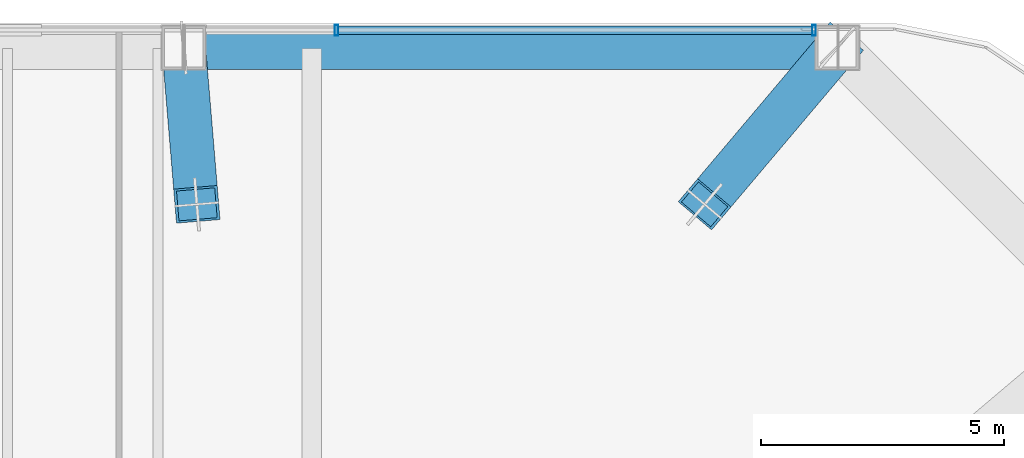
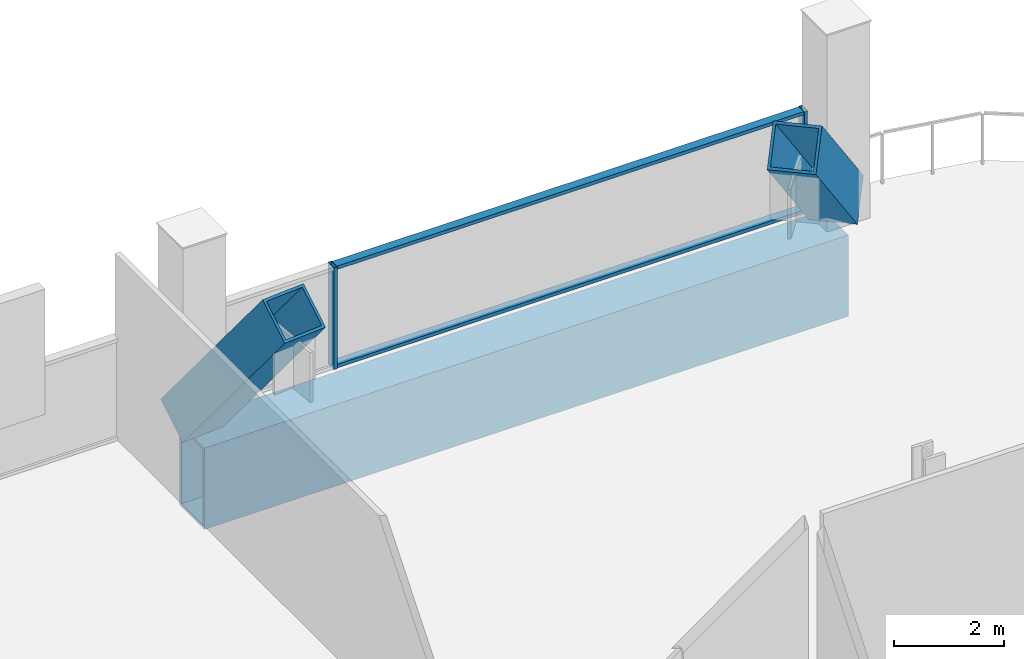
# One storey, part 24 of 38: 6 members, 1 beam, 1 element without a shape of its own.
"""IFC4 building model written with IfcOpenShell, lengths in metres."""

from ifc_helpers import new_model, si_unit, direction, frame, origin, origin_2d, place, context, subcontext, project, spatial, hollow_rectangle, extrude, material, layer, layer_set, material_profile, profile_set, type_object, element, aggregate, save


model = new_model("IFC4")

# Units and contexts
model_context = context("Model", 3, precision=1e-05, world=origin(), true_north=direction((0.0, 1.0)))
body_context = subcontext(model_context, "Body", "Model", "MODEL_VIEW")
ifc_project = project(units=[si_unit("LENGTHUNIT", "METRE"), si_unit("AREAUNIT", "SQUARE_METRE"), si_unit("VOLUMEUNIT", "CUBIC_METRE"), si_unit("PLANEANGLEUNIT", "RADIAN"), si_unit("MASSUNIT", "GRAM", prefix="KILO")], contexts=[model_context])

# Site, building, storey
site_placement = place(None, origin())
site = spatial("IfcSite", under=ifc_project, at=site_placement, CompositionType="ELEMENT")
building_placement = place(site_placement, origin())
building = spatial("IfcBuilding", under=site, at=building_placement, Name="Qhalaya Broadcast Tower", CompositionType="ELEMENT")
storey_placement = place(building_placement, frame((0.0, 0.0, 53.550048828125)))
storey = spatial("IfcBuildingStorey", under=building, at=storey_placement, Name="L15", CompositionType="ELEMENT", Elevation=53.550048828125)

# Beam
ifc_material_1 = material(Name="Structural Steel ASTM A572 Grade 50", Category="steel")
ifc_material_profile_1 = material_profile(ifc_material_1, hollow_rectangle(XDim=0.89990234375, YDim=1.800048828125, WallThickness=0.06005859375, at=origin_2d()), Name="BOX 900x1800x60")
ifc_profile_set_1 = profile_set([ifc_material_profile_1], Name="Structural Steel ASTM A572 Grade 50")
beam_type = type_object("IfcBeamType", Name="Block Cantilever Transfer Box Girder TG1", PredefinedType="USERDEFINED", material=ifc_profile_set_1)
beam_placement = place(storey_placement, frame((20.199951171875, 25.89990234375, -1.1201171875), z_axis=(-1.0, 0.0, 0.0), x_axis=(0.0, -1.0, 0.0)))
element("IfcBeam", 1, at=beam_placement, inside=storey, type_object=beam_type, Name="L15 TG1 L15-SPR-09", ObjectType="GIRDER", PredefinedType="USERDEFINED", context=body_context, shape_type="SweptSolid", body=[
    extrude(hollow_rectangle(XDim=0.89990234375, YDim=1.800048828125, WallThickness=0.06005859375, at=origin_2d()), origin(), (0.0, 0.0, 1.0), 13.466552734375),
])

# Members
ifc_material_profile_2 = material_profile(ifc_material_1, hollow_rectangle(XDim=0.89990234375, YDim=0.89990234375, WallThickness=0.054931640625, at=origin_2d()), Name="BOX 900x900x55")
ifc_profile_set_2 = profile_set([ifc_material_profile_2], Name="Structural Steel ASTM A572 Grade 50")
member_type_1 = type_object("IfcMemberType", Name="Heavy Exoskeleton Transfer Strut RK1", PredefinedType="BRACE", material=ifc_profile_set_2)
member_1_placement = place(storey_placement, frame((20.199951171875, 25.89990234375, 0.33642578125), z_axis=(-0.468234824633, -0.55399273206, 0.688366328219), x_axis=(0.763745277173, -0.64551773918, 0.0)))
element("IfcMember", 2, at=member_1_placement, inside=storey, type_object=member_type_1, Name="L15 Inclined Exoskeleton Transfer Strut 09", PredefinedType="BRACE", context=body_context, shape_type="SweptSolid", body=[
    extrude(hollow_rectangle(XDim=0.89990234375, YDim=0.89990234375, WallThickness=0.054931640625, at=origin_2d()), origin(), (0.0, 0.0, 1.0), 5.830322265625),
])
member_2_placement = place(storey_placement, frame((6.7333984375, 25.89990234375, 0.290771484375), z_axis=(0.051982775939, -0.621819281808, 0.781433664349), x_axis=(0.996523906143, 0.083307289508, 0.0)))
element("IfcMember", 3, at=member_2_placement, inside=storey, type_object=member_type_1, Name="L15 Inclined Exoskeleton Transfer Strut 10", PredefinedType="BRACE", context=body_context, shape_type="SweptSolid", body=[
    extrude(hollow_rectangle(XDim=0.89990234375, YDim=0.89990234375, WallThickness=0.054931640625, at=origin_2d()), origin(), (0.0, 0.0, 1.0), 5.1943359375),
])

# Curtain wall, members
ifc_material_2 = material(Name="Fired Architectural Terracotta", Category="masonry")
ifc_layer = layer(ifc_material_2, 0.219970703125, Name="Fired Architectural Terracotta")
ifc_layer_set = layer_set([ifc_layer], Name="Fired Architectural Terracotta")
curtain_wall_type = type_object("IfcCurtainWallType", Name="Block-Cap Unitised Terracotta Spandrel Wall CW-07", PredefinedType="NOTDEFINED", material=ifc_layer_set)
curtain_wall_placement = place(storey_placement, origin())
curtain_wall = element("IfcCurtainWall", 4, at=curtain_wall_placement, inside=storey, type_object=curtain_wall_type, Name="L15 Unitised Curtain Wall L15-CW-N", PredefinedType="NOTDEFINED")
ifc_material_3 = material(Name="Anodised Aluminium 6063-T6", Category="aluminium")
ifc_material_profile_3 = material_profile(ifc_material_3, hollow_rectangle(XDim=0.074951171875, YDim=0.219970703125, WallThickness=0.00390625, at=origin_2d()), Name="ALU-MUL 75x220x4")
ifc_profile_set_3 = profile_set([ifc_material_profile_3], Name="Anodised Aluminium 6063-T6")
member_type_2 = type_object("IfcMemberType", Name="Unitised Curtain-Wall Mullion M01", PredefinedType="MULLION", material=ifc_profile_set_3)
member_3_placement = place(storey_placement, frame((9.881103515625, 26.260009765625, 0.0), z_axis=(0.0, 0.0, 1.0), x_axis=(1.0, 0.0, 0.0)))
member_3 = element("IfcMember", 5, at=member_3_placement, type_object=member_type_2, Name="CW-07 mullion 4", PredefinedType="MULLION", context=body_context, shape_type="SweptSolid", body=[
    extrude(hollow_rectangle(XDim=0.074951171875, YDim=0.219970703125, WallThickness=0.00390625, at=origin_2d()), origin(), (0.0, 0.0, 1.0), 2.25),
])
member_4_placement = place(storey_placement, frame((19.724609375, 26.260009765625, 0.0), z_axis=(0.0, 0.0, 1.0), x_axis=(1.0, 0.0, 0.0)))
member_4 = element("IfcMember", 6, at=member_4_placement, type_object=member_type_2, Name="CW-07 mullion 5", PredefinedType="MULLION", context=body_context, shape_type="SweptSolid", body=[
    extrude(hollow_rectangle(XDim=0.074951171875, YDim=0.219970703125, WallThickness=0.00390625, at=origin_2d()), origin(), (0.0, 0.0, 1.0), 2.25),
])
ifc_material_profile_4 = material_profile(ifc_material_3, hollow_rectangle(XDim=0.074951171875, YDim=0.179931640625, WallThickness=0.00390625, at=origin_2d()), Name="ALU-TRN 75x180x4")
ifc_profile_set_4 = profile_set([ifc_material_profile_4], Name="Anodised Aluminium 6063-T6")
member_type_3 = type_object("IfcMemberType", Name="Unitised Curtain-Wall Transom T01", PredefinedType="USERDEFINED", material=ifc_profile_set_4)
member_5_placement = place(storey_placement, frame((9.91845703125, 26.260009765625, 0.037353515625), z_axis=(1.0, 0.0, 0.0), x_axis=(0.0, 0.0, 1.0)))
member_5 = element("IfcMember", 7, at=member_5_placement, type_object=member_type_3, Name="CW-07 transom 4.1", ObjectType="TRANSOM", PredefinedType="USERDEFINED", context=body_context, shape_type="SweptSolid", body=[
    extrude(hollow_rectangle(XDim=0.074951171875, YDim=0.179931640625, WallThickness=0.00390625, at=origin_2d()), origin(), (0.0, 0.0, 1.0), 9.7685546875),
])
member_6_placement = place(storey_placement, frame((9.91845703125, 26.260009765625, 2.21240234375), z_axis=(1.0, 0.0, 0.0), x_axis=(0.0, 0.0, 1.0)))
member_6 = element("IfcMember", 8, at=member_6_placement, type_object=member_type_3, Name="CW-07 transom 4.2", ObjectType="TRANSOM", PredefinedType="USERDEFINED", context=body_context, shape_type="SweptSolid", body=[
    extrude(hollow_rectangle(XDim=0.074951171875, YDim=0.179931640625, WallThickness=0.00390625, at=origin_2d()), origin(), (0.0, 0.0, 1.0), 9.7685546875),
])
aggregate(curtain_wall, [member_3, member_4, member_5, member_6])

save(model, "model.ifc")
